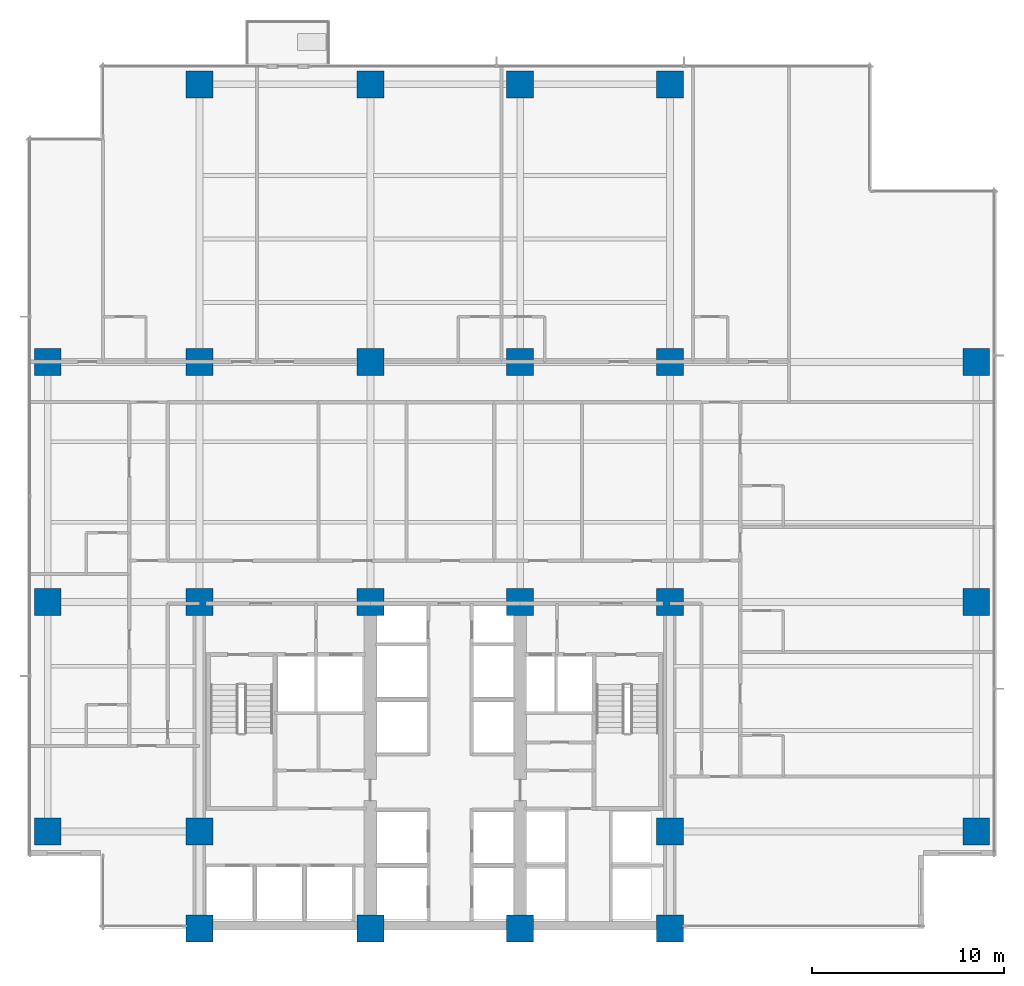
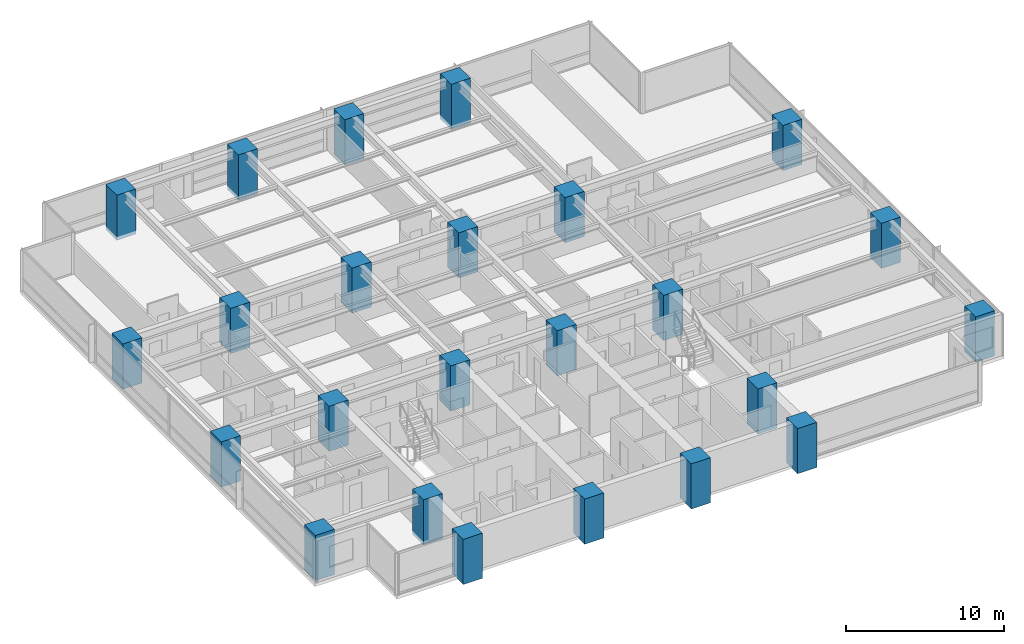
# One storey, part 1 of 16: 24 columns.
"""IFC4 building model written with IfcOpenShell, lengths in metres."""

from ifc_helpers import new_model, si_unit, direction, frame, origin, origin_2d, place, context, subcontext, project, spatial, rectangle, extrude, material, material_profile, profile_set, type_object, element, save


model = new_model("IFC4")

# Units and contexts
model_context = context("Model", 3, precision=1e-05, world=origin(), true_north=direction((0.0, 1.0)))
body_context = subcontext(model_context, "Body", "Model", "MODEL_VIEW")
ifc_project = project(units=[si_unit("LENGTHUNIT", "METRE"), si_unit("AREAUNIT", "SQUARE_METRE"), si_unit("VOLUMEUNIT", "CUBIC_METRE"), si_unit("PLANEANGLEUNIT", "RADIAN"), si_unit("MASSUNIT", "GRAM", prefix="KILO")], contexts=[model_context])

# Site, building, storey
site_placement = place(None, origin())
site = spatial("IfcSite", under=ifc_project, at=site_placement, CompositionType="ELEMENT")
building_placement = place(site_placement, origin())
building = spatial("IfcBuilding", under=site, at=building_placement, Name="Qalmaran Belvedere Hotel", CompositionType="ELEMENT")
storey_placement = place(building_placement, frame((0.0, 0.0, 43.89990234375)))
storey = spatial("IfcBuildingStorey", under=building, at=storey_placement, Name="L10", CompositionType="ELEMENT", Elevation=43.89990234375)

# Columns
ifc_material = material(Name="Concrete C60/75", Category="concrete")
ifc_material_profile = material_profile(ifc_material, rectangle(XDim=1.39990234375, YDim=1.39990234375, at=origin_2d()), Name="CC1400X1400")
ifc_profile_set = profile_set([ifc_material_profile], Name="Concrete C60/75")
column_type = type_object("IfcColumnType", Name="COL-Z1-CC1400", PredefinedType="COLUMN", material=ifc_profile_set)
for number, where, z_axis, x_axis, name in (
    (1, (20.300048828125, 3.5, -0.27978515625), (0.0, 0.0, 1.0), (1.0, 0.0, 0.0), "L10 Column C4B"),
    (2, (29.199951171875, 3.5, -0.27978515625), (0.0, 0.0, 1.0), (1.0, 0.0, 0.0), "L10 Column C5B"),
    (3, (37.0, 3.5, -0.27978515625), (0.0, 0.0, 1.0), (1.0, 0.0, 0.0), "L10 Column C6B"),
    (4, (44.800048828125, 3.5, -0.27978515625), (0.0, 0.0, 1.0), (1.0, 0.0, 0.0), "L10 Column C7B"),
    (5, (20.300048828125, 8.550048828125, -0.27978515625), (0.0, 0.0, 1.0), (1.0, 0.0, 0.0), "L10 Column C4C"),
    (6, (44.800048828125, 8.550048828125, -0.27978515625), (0.0, 0.0, 1.0), (1.0, 0.0, 0.0), "L10 Column C7C"),
    (7, (20.300048828125, 20.5, -0.27978515625), (0.0, 0.0, 1.0), (1.0, 0.0, 0.0), "L10 Column C4D"),
    (8, (29.199951171875, 20.5, -0.27978515625), (0.0, 0.0, 1.0), (1.0, 0.0, 0.0), "L10 Column C5D"),
    (9, (37.0, 20.5, -0.27978515625), (0.0, 0.0, 1.0), (1.0, 0.0, 0.0), "L10 Column C6D"),
    (10, (44.800048828125, 20.5, -0.27978515625), (0.0, 0.0, 1.0), (1.0, 0.0, 0.0), "L10 Column C7D"),
    (11, (20.300048828125, 33.0, -0.27978515625), (0.0, 0.0, 1.0), (1.0, 0.0, 0.0), "L10 Column C4F"),
    (12, (29.199951171875, 33.0, -0.27978515625), (0.0, 0.0, 1.0), (1.0, 0.0, 0.0), "L10 Column C5F"),
    (13, (37.0, 33.0, -0.27978515625), (0.0, 0.0, 1.0), (1.0, 0.0, 0.0), "L10 Column C6F"),
    (14, (44.800048828125, 33.0, -0.27978515625), (0.0, 0.0, 1.0), (1.0, 0.0, 0.0), "L10 Column C7F"),
    (15, (12.39990234375, 8.550048828125, -0.27978515625), (0.0, 0.0, 1.0), (1.0, 0.0, 0.0), "L10 Column CW1"),
    (16, (12.39990234375, 20.5, -0.27978515625), (0.0, 0.0, 1.0), (1.0, 0.0, 0.0), "L10 Column CW3"),
    (17, (12.39990234375, 33.0, -0.27978515625), (0.0, 0.0, 1.0), (1.0, 0.0, 0.0), "L10 Column CW4"),
    (18, (60.75, 8.550048828125, -0.27978515625), (0.0, 0.0, 1.0), (1.0, 0.0, 0.0), "L10 Column CE1"),
    (19, (60.75, 20.5, -0.27978515625), (0.0, 0.0, 1.0), (1.0, 0.0, 0.0), "L10 Column CE3"),
    (20, (60.75, 33.0, -0.27978515625), (0.0, 0.0, 1.0), (1.0, 0.0, 0.0), "L10 Column CE4"),
    (21, (20.300048828125, 47.449951171875, -0.27978515625), (0.0, 0.0, 1.0), (1.0, 0.0, 0.0), "L10 Column CN1"),
    (22, (29.199951171875, 47.449951171875, -0.27978515625), (0.0, 0.0, 1.0), (1.0, 0.0, 0.0), "L10 Column CN2"),
    (23, (37.0, 47.449951171875, -0.27978515625), (0.0, 0.0, 1.0), (1.0, 0.0, 0.0), "L10 Column CN3"),
    (24, (44.800048828125, 47.449951171875, -0.27978515625), (0.0, 0.0, 1.0), (1.0, 0.0, 0.0), "L10 Column CN4"),
):
    element("IfcColumn", number, at=place(storey_placement, frame(where, z_axis=z_axis, x_axis=x_axis)), inside=storey, type_object=column_type, Name=name, PredefinedType="COLUMN", context=body_context, shape_type="SweptSolid", body=[
        extrude(rectangle(XDim=1.39990234375, YDim=1.39990234375, at=origin_2d()), origin(), (0.0, 0.0, 1.0), 3.5),
    ])

save(model, "model.ifc")
